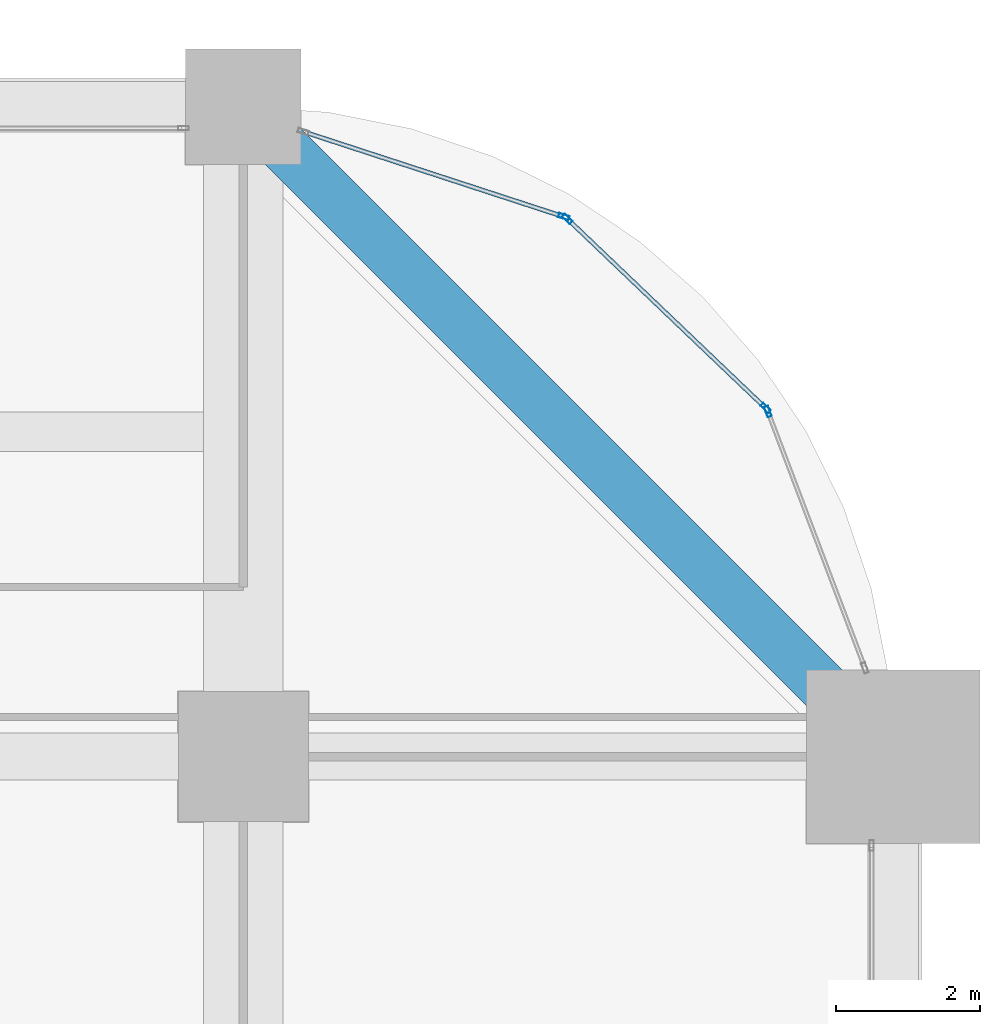
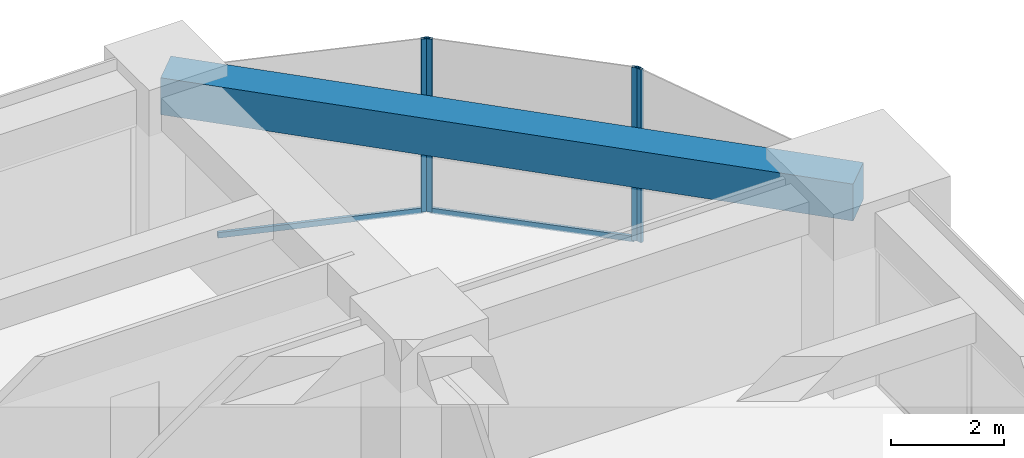
# One storey, part 34 of 40: 6 members, 1 beam, 3 elements without a shape of their own.
"""IFC4 building model written with IfcOpenShell, lengths in metres."""

from ifc_helpers import new_model, si_unit, direction, frame, origin, origin_2d, place, context, subcontext, project, spatial, rectangle, hollow_rectangle, extrude, material, material_profile, profile_set, type_object, element, aggregate, save


model = new_model("IFC4")

# Units and contexts
model_context = context("Model", 3, precision=1e-05, world=origin(), true_north=direction((0.0, 1.0)))
body_context = subcontext(model_context, "Body", "Model", "MODEL_VIEW")
ifc_project = project(units=[si_unit("LENGTHUNIT", "METRE"), si_unit("AREAUNIT", "SQUARE_METRE"), si_unit("VOLUMEUNIT", "CUBIC_METRE"), si_unit("PLANEANGLEUNIT", "RADIAN"), si_unit("MASSUNIT", "GRAM", prefix="KILO")], contexts=[model_context])

# Site, building, storey
site_placement = place(None, origin())
site = spatial("IfcSite", under=ifc_project, at=site_placement, CompositionType="ELEMENT")
building_placement = place(site_placement, origin())
building = spatial("IfcBuilding", under=site, at=building_placement, Name="Zorevar Civic Tower", CompositionType="ELEMENT")
storey_placement = place(building_placement, frame((0.0, 0.0, 133.0)))
storey = spatial("IfcBuildingStorey", under=building, at=storey_placement, Name="L32", CompositionType="ELEMENT", Elevation=133.0)

# Curtain wall, member
ifc_material_1 = material(Name="Dark grey solar-control glass in black aluminium frame", Category="aluminium")
curtain_wall_type = type_object("IfcCurtainWallType", Name="Curtain wall CW3 mid zone", PredefinedType="NOTDEFINED", material=ifc_material_1)
curtain_wall_1_placement = place(storey_placement, origin())
curtain_wall_1 = element("IfcCurtainWall", 1, at=curtain_wall_1_placement, inside=storey, type_object=curtain_wall_type, Name="CW3 L32", PredefinedType="NOTDEFINED")
ifc_material_2 = material(Name="Aluminium, black anodised", Category="aluminium")
ifc_material_profile_1 = material_profile(ifc_material_2, hollow_rectangle(XDim=0.06005859375, YDim=0.14990234375, WallThickness=0.00390625, at=origin_2d()), Name="AL 150x60x4")
ifc_profile_set_1 = profile_set([ifc_material_profile_1], Name="Aluminium, black anodised")
member_type_1 = type_object("IfcMemberType", Name="CW3 mullion AL 150x60x4", PredefinedType="MULLION", material=ifc_profile_set_1)
member_1_placement = place(storey_placement, frame((61.26318359375, 40.777099609375, 0.0), z_axis=(0.0, 0.0, 1.0), x_axis=(-0.935276561184, -0.353917722218, 0.0)))
member_1 = element("IfcMember", 2, at=member_1_placement, type_object=member_type_1, Name="CW3 mullion 2", PredefinedType="MULLION", context=body_context, shape_type="SweptSolid", body=[
    extrude(hollow_rectangle(XDim=0.06005859375, YDim=0.14990234375, WallThickness=0.00390625, at=origin_2d()), origin(), (0.0, 0.0, 1.0), 3.75),
])
aggregate(curtain_wall_1, [member_1])

# Curtain wall, members
curtain_wall_2_placement = place(storey_placement, origin())
curtain_wall_2 = element("IfcCurtainWall", 3, at=curtain_wall_2_placement, inside=storey, type_object=curtain_wall_type, Name="CW3 L32", PredefinedType="NOTDEFINED")
member_2_placement = place(storey_placement, frame((61.23095703125, 40.825927734375, 0.0), z_axis=(0.0, 0.0, 1.0), x_axis=(-0.690545329292, -0.723289117983, 0.0)))
member_2 = element("IfcMember", 4, at=member_2_placement, type_object=member_type_1, Name="CW3 mullion 1", PredefinedType="MULLION", context=body_context, shape_type="SweptSolid", body=[
    extrude(hollow_rectangle(XDim=0.06005859375, YDim=0.14990234375, WallThickness=0.00390625, at=origin_2d()), origin(), (0.0, 0.0, 1.0), 3.75),
])
member_3_placement = place(storey_placement, frame((58.486083984375, 43.4462890625, 0.0), z_axis=(0.0, 0.0, 1.0), x_axis=(-0.690545329292, -0.723289117983, 0.0)))
member_3 = element("IfcMember", 5, at=member_3_placement, type_object=member_type_1, Name="CW3 mullion 2", PredefinedType="MULLION", context=body_context, shape_type="SweptSolid", body=[
    extrude(hollow_rectangle(XDim=0.06005859375, YDim=0.14990234375, WallThickness=0.00390625, at=origin_2d()), origin(), (0.0, 0.0, 1.0), 3.75),
])

# Curtain wall, member
curtain_wall_3_placement = place(storey_placement, origin())
curtain_wall_3 = element("IfcCurtainWall", 6, at=curtain_wall_3_placement, inside=storey, type_object=curtain_wall_type, Name="CW3 L32", PredefinedType="NOTDEFINED")
member_4_placement = place(storey_placement, frame((58.43603515625, 43.476318359375, 0.0), z_axis=(0.0, 0.0, 1.0), x_axis=(-0.310263169163, -0.950650706548, 0.0)))
member_4 = element("IfcMember", 7, at=member_4_placement, type_object=member_type_1, Name="CW3 mullion 1", PredefinedType="MULLION", context=body_context, shape_type="SweptSolid", body=[
    extrude(hollow_rectangle(XDim=0.06005859375, YDim=0.14990234375, WallThickness=0.00390625, at=origin_2d()), origin(), (0.0, 0.0, 1.0), 3.75),
])

# Member
ifc_material_3 = material(Name="Aluminium, black anodised", Category="aluminium")
ifc_material_profile_2 = material_profile(ifc_material_3, hollow_rectangle(XDim=0.06005859375, YDim=0.1201171875, WallThickness=0.0029296875, at=origin_2d()), Name="AL 120x60x3")
ifc_profile_set_2 = profile_set([ifc_material_profile_2], Name="Aluminium, black anodised")
member_type_2 = type_object("IfcMemberType", Name="CW3 transom AL 120x60x3", PredefinedType="USERDEFINED", material=ifc_profile_set_2)
member_5_placement = place(storey_placement, frame((61.209228515625, 40.8466796875, 0.030029296875), z_axis=(-0.723324377588, 0.690508395884, 0.0), x_axis=(-0.690508395884, -0.723324377588, 0.0)))
member_5 = element("IfcMember", 8, at=member_5_placement, type_object=member_type_2, Name="CW3 sill transom", ObjectType="TRANSOM", PredefinedType="USERDEFINED", context=body_context, shape_type="SweptSolid", body=[
    extrude(hollow_rectangle(XDim=0.06005859375, YDim=0.1201171875, WallThickness=0.0029296875, at=origin_2d()), origin(), (0.0, 0.0, 1.0), 3.734619140625),
])

aggregate(curtain_wall_2, [member_2, member_3, member_5])

member_6_placement = place(storey_placement, frame((58.407470703125, 43.485595703125, 0.030029296875), z_axis=(-0.950638909659, 0.310299312669, 0.0), x_axis=(-0.310299312669, -0.950638909659, 0.0)))
member_6 = element("IfcMember", 9, at=member_6_placement, type_object=member_type_2, Name="CW3 sill transom", ObjectType="TRANSOM", PredefinedType="USERDEFINED", context=body_context, shape_type="SweptSolid", body=[
    extrude(hollow_rectangle(XDim=0.06005859375, YDim=0.1201171875, WallThickness=0.0029296875, at=origin_2d()), origin(), (0.0, 0.0, 1.0), 3.73486328125),
])

aggregate(curtain_wall_3, [member_4, member_6])

# Beam
ifc_material_4 = material(Name="Concrete C50/60", Category="concrete")
ifc_material_profile_3 = material_profile(ifc_material_4, rectangle(XDim=0.699951171875, YDim=0.800048828125, at=origin_2d()), Name="RC 700x800")
ifc_profile_set_3 = profile_set([ifc_material_profile_3], Name="Concrete C50/60")
beam_type = type_object("IfcBeamType", Name="Edge beam RC 700x800", PredefinedType="SPANDREL", material=ifc_profile_set_3)
beam_placement = place(storey_placement, frame((63.0, 36.0, 3.35009765625), z_axis=(-0.707106781187, 0.707106781187, 0.0), x_axis=(-0.707106781187, -0.707106781187, 0.0)))
element("IfcBeam", 10, at=beam_placement, inside=storey, type_object=beam_type, Name="Corner edge beam L33", PredefinedType="SPANDREL", context=body_context, shape_type="SweptSolid", body=[
    extrude(rectangle(XDim=0.699951171875, YDim=0.800048828125, at=origin_2d()), origin(), (0.0, 0.0, 1.0), 12.72802734375),
])

save(model, "model.ifc")
